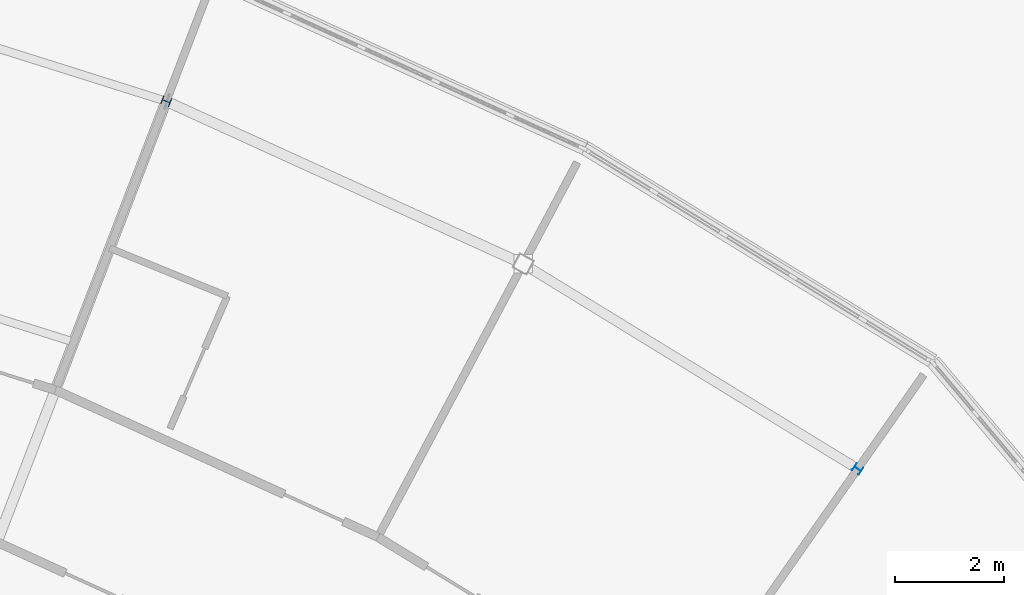
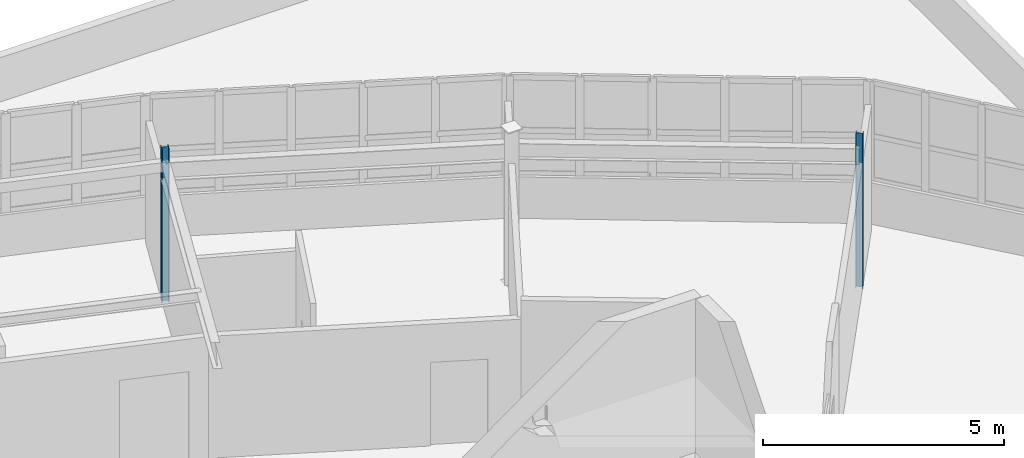
# One storey, part 14 of 128: 2 columns.
"""IFC4 building model written with IfcOpenShell, lengths in metres."""

from ifc_helpers import new_model, si_unit, direction, frame, origin, origin_2d, place, context, subcontext, project, spatial, i_section, extrude, material, material_profile, profile_set, type_object, element, save


model = new_model("IFC4")

# Units and contexts
model_context = context("Model", 3, precision=1e-05, world=origin(), true_north=direction((0.0, 1.0)))
body_context = subcontext(model_context, "Body", "Model", "MODEL_VIEW")
ifc_project = project(units=[si_unit("LENGTHUNIT", "METRE"), si_unit("AREAUNIT", "SQUARE_METRE"), si_unit("VOLUMEUNIT", "CUBIC_METRE"), si_unit("PLANEANGLEUNIT", "RADIAN"), si_unit("MASSUNIT", "GRAM", prefix="KILO")], contexts=[model_context])

# Site, building, storey
site_placement = place(None, origin())
site = spatial("IfcSite", under=ifc_project, at=site_placement, CompositionType="ELEMENT")
building_placement = place(site_placement, origin())
building = spatial("IfcBuilding", under=site, at=building_placement, Name="Tarnwether General Hospital", CompositionType="ELEMENT")
storey_placement = place(building_placement, frame((0.0, 0.0, 14.39990234375)))
storey = spatial("IfcBuildingStorey", under=building, at=storey_placement, Name="L03", CompositionType="ELEMENT", Elevation=14.39990234375)

# Columns
ifc_material_1 = material(Name="Steel Grade 350 (350 MPa)", Category="steel")
ifc_material_profile_1 = material_profile(ifc_material_1, i_section(OverallWidth=0.154052734375, OverallDepth=0.162109375, WebThickness=0.008056640625, FlangeThickness=0.011474609375, at=origin_2d()), Name="150UC37.2")
ifc_profile_set_1 = profile_set([ifc_material_profile_1], Name="Steel Grade 350 (350 MPa)")
column_type_1 = type_object("IfcColumnType", Name="COL-28", PredefinedType="COLUMN", material=ifc_profile_set_1)
column_1_placement = place(storey_placement, frame((113.215087890625, 118.26806640625, 0.0), z_axis=(0.0, 0.0, 1.0), x_axis=(0.358367949545, 0.933580426497, 0.0)))
element("IfcColumn", 1, at=column_1_placement, inside=storey, type_object=column_type_1, Name="Column COLG-L03-11322_11827", PredefinedType="COLUMN", context=body_context, shape_type="SweptSolid", body=[
    extrude(i_section(OverallWidth=0.154052734375, OverallDepth=0.162109375, WebThickness=0.008056640625, FlangeThickness=0.011474609375, at=origin_2d()), origin(), (0.0, 0.0, 1.0), 3.900146484375),
])
ifc_material_2 = material(Name="Steel Grade 350 (350 MPa)", Category="steel")
ifc_material_profile_2 = material_profile(ifc_material_2, i_section(OverallWidth=0.152099609375, OverallDepth=0.152099609375, WebThickness=0.006103515625, FlangeThickness=0.0068359375, at=origin_2d()), Name="150UC23.4")
ifc_profile_set_2 = profile_set([ifc_material_profile_2], Name="Steel Grade 350 (350 MPa)")
column_type_2 = type_object("IfcColumnType", Name="COL-32", PredefinedType="COLUMN", material=ifc_profile_set_2)
column_2_placement = place(storey_placement, frame((125.9560546875, 111.493896484375, 0.0), z_axis=(0.0, 0.0, 1.0), x_axis=(0.573576436351, 0.819152044289, 0.0)))
element("IfcColumn", 2, at=column_2_placement, inside=storey, type_object=column_type_2, Name="Column COLG-L03-12596_11149", PredefinedType="COLUMN", context=body_context, shape_type="SweptSolid", body=[
    extrude(i_section(OverallWidth=0.152099609375, OverallDepth=0.152099609375, WebThickness=0.006103515625, FlangeThickness=0.0068359375, at=origin_2d()), origin(), (0.0, 0.0, 1.0), 3.900146484375),
])

save(model, "model.ifc")
